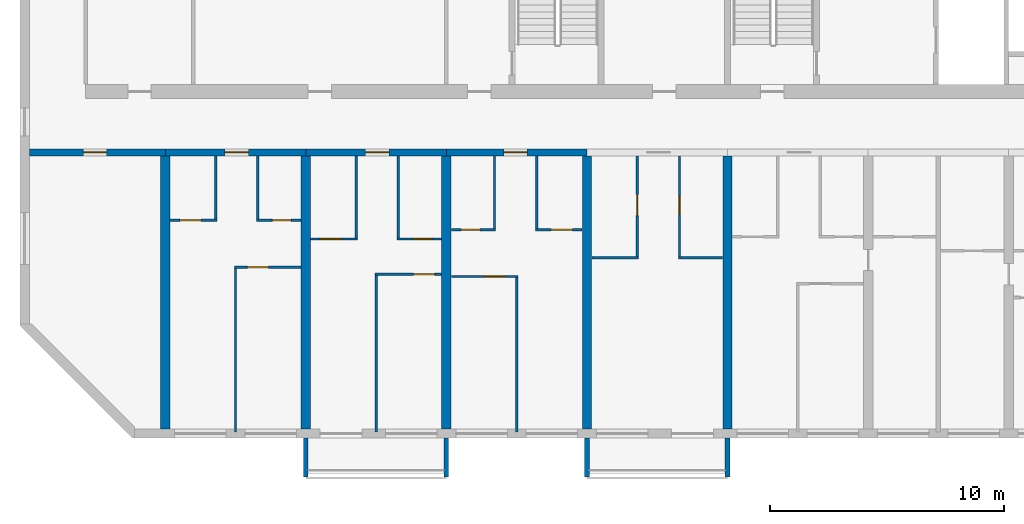
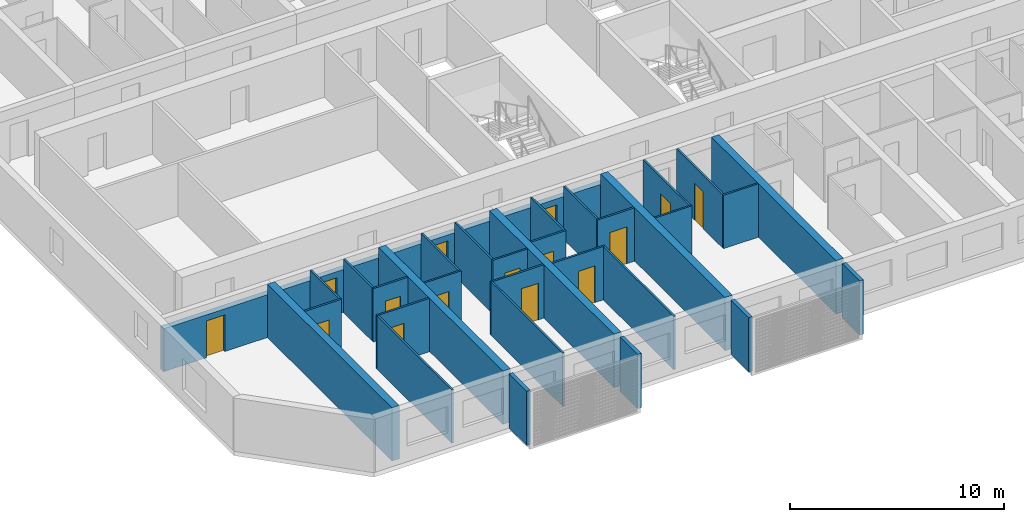
# One storey, part 2 of 40: 35 walls, 15 doors, 15 openings.
"""IFC4 building model written with IfcOpenShell, lengths in metres."""

from ifc_helpers import new_model, si_unit, direction, frame, frame_2d, origin, place, context, subcontext, project, spatial, polyline, rectangle, outline, extrude, source, transform, mapped, material, layer, layer_set, type_object, element, fill, save


model = new_model("IFC4")

# Units and contexts
model_context = context("Model", 3, precision=1e-05, world=origin(), true_north=direction((0.0, 1.0)))
body_context = subcontext(model_context, "Body", "Model", "MODEL_VIEW")
ifc_project = project(units=[si_unit("LENGTHUNIT", "METRE"), si_unit("AREAUNIT", "SQUARE_METRE"), si_unit("VOLUMEUNIT", "CUBIC_METRE"), si_unit("PLANEANGLEUNIT", "RADIAN"), si_unit("MASSUNIT", "GRAM", prefix="KILO")], contexts=[model_context])

# Site, building, storey
site_placement = place(None, origin())
site = spatial("IfcSite", under=ifc_project, at=site_placement, CompositionType="ELEMENT")
building_placement = place(site_placement, origin())
building = spatial("IfcBuilding", under=site, at=building_placement, Name="Poui Terraces", CompositionType="ELEMENT")
storey_placement = place(building_placement, frame((0.0, 0.0, 39.89990234375)))
storey = spatial("IfcBuildingStorey", under=building, at=storey_placement, Name="L10", CompositionType="ELEMENT", Elevation=39.89990234375)

# Wall, opening, door
ifc_material_1 = material(Name="Concrete 80 MPa", Category="concrete")
ifc_layer_1 = layer(ifc_material_1, 0.300048828125)
ifc_layer_set_1 = layer_set([ifc_layer_1], Name="Concrete 80 MPa")
wall_type_1 = type_object("IfcWallType", Name="CORRIDOR WALL 300 80MPa", PredefinedType="SHEAR", material=ifc_layer_set_1)
wall_1_placement = place(storey_placement, frame((0.199951171875, 12.0, 0.0), z_axis=(0.0, 0.0, 1.0), x_axis=(1.0, 0.0, 0.0)))
wall_1 = element("IfcWall", 1, at=wall_1_placement, inside=storey, type_object=wall_type_1, Name="CORRIDOR WALL LINE B BAY 1", PredefinedType="SHEAR", context=body_context, shape_type="SweptSolid", body=[
    extrude(rectangle(XDim=5.800048828125, YDim=0.300048828125, at=frame_2d((2.89990234375, 0.0))), origin(), (0.0, 0.0, 1.0), 2.4501953125),
])
opening_1_placement = place(wall_1_placement, frame((2.300048828125, 0.0, 0.0)))
opening_1 = element("IfcOpeningElement", 2, at=opening_1_placement, cuts=wall_1, Name="Opening D100", PredefinedType="OPENING", context=body_context, shape_type="SweptSolid", body=[
    extrude(rectangle(XDim=1.0, YDim=2.10009765625, at=frame_2d((0.5, 1.050048828125))), frame((0.0, 0.16015625, 0.0), z_axis=(0.0, -1.0, 0.0), x_axis=(1.0, 0.0, 0.0)), (0.0, 0.0, 1.0), 0.320068359375),
])
ifc_material_2 = material(Name="Solid core timber door", Category="wood")
door_type_1 = type_object("IfcDoorType", Name="ACCESSIBLE INTERNAL DOOR 1000 X 2100", OperationType="NOTDEFINED", PredefinedType="DOOR", material=ifc_material_2)
door_1_placement = place(opening_1_placement, frame((1.0, 0.0, 0.0), z_axis=(0.0, 0.0, 1.0), x_axis=(-1.0, 0.0, 0.0)))
door_1 = element("IfcDoor", 3, at=door_1_placement, inside=storey, type_object=door_type_1, Name="ACCESSIBLE INTERNAL DOOR 090", OperationType="SINGLE_SWING_RIGHT", OverallHeight=2.10009765625, OverallWidth=1.0, PredefinedType="DOOR", context=body_context, shape_type="SweptSolid", body=[
    extrude(rectangle(XDim=1.0, YDim=2.10009765625, at=frame_2d((0.5, 1.050048828125))), frame((0.0, 0.02490234375, 0.0), z_axis=(0.0, -1.0, 0.0), x_axis=(1.0, 0.0, 0.0)), (0.0, 0.0, 1.0), 0.050048828125),
])
fill(opening_1, door_1)

wall_2_placement = place(storey_placement, frame((6.0, 12.0, 0.0), z_axis=(0.0, 0.0, 1.0), x_axis=(1.0, 0.0, 0.0)))
wall_2 = element("IfcWall", 4, at=wall_2_placement, inside=storey, type_object=wall_type_1, Name="CORRIDOR WALL LINE B BAY 2", PredefinedType="SHEAR", context=body_context, shape_type="SweptSolid", body=[
    extrude(rectangle(XDim=6.0, YDim=0.300048828125, at=frame_2d((3.0, 0.0))), origin(), (0.0, 0.0, 1.0), 2.4501953125),
])
opening_2_placement = place(wall_2_placement, frame((2.550048828125, 0.0, 0.0)))
opening_2 = element("IfcOpeningElement", 5, at=opening_2_placement, cuts=wall_2, Name="Opening FD30S", PredefinedType="OPENING", context=body_context, shape_type="SweptSolid", body=[
    extrude(rectangle(XDim=1.0, YDim=2.10009765625, at=frame_2d((0.5, 1.050048828125))), frame((0.0, 0.16015625, 0.0), z_axis=(0.0, -1.0, 0.0), x_axis=(1.0, 0.0, 0.0)), (0.0, 0.0, 1.0), 0.320068359375),
])
ifc_material_3 = material(Name="Steel fire door", Category="steel")
door_type_2 = type_object("IfcDoorType", Name="FLAT ENTRANCE DOOR 1000 X 2100", OperationType="NOTDEFINED", PredefinedType="DOOR", material=ifc_material_3)
door_2_placement = place(opening_2_placement, frame((1.0, 0.0, 0.0), z_axis=(0.0, 0.0, 1.0), x_axis=(-1.0, 0.0, 0.0)))
door_2 = element("IfcDoor", 6, at=door_2_placement, inside=storey, type_object=door_type_2, Name="FLAT ENTRANCE DOOR 092", OperationType="SINGLE_SWING_LEFT", OverallHeight=2.10009765625, OverallWidth=1.0, PredefinedType="DOOR", context=body_context, shape_type="SweptSolid", body=[
    extrude(rectangle(XDim=1.0, YDim=2.10009765625, at=frame_2d((0.5, 1.050048828125))), frame((0.0, 0.02490234375, 0.0), z_axis=(0.0, -1.0, 0.0), x_axis=(1.0, 0.0, 0.0)), (0.0, 0.0, 1.0), 0.050048828125),
])
fill(opening_2, door_2)

wall_3_placement = place(storey_placement, frame((12.0, 12.0, 0.0), z_axis=(0.0, 0.0, 1.0), x_axis=(1.0, 0.0, 0.0)))
wall_3 = element("IfcWall", 7, at=wall_3_placement, inside=storey, type_object=wall_type_1, Name="CORRIDOR WALL LINE B BAY 3", PredefinedType="SHEAR", context=body_context, shape_type="SweptSolid", body=[
    extrude(rectangle(XDim=6.0, YDim=0.300048828125, at=frame_2d((3.0, 0.0))), origin(), (0.0, 0.0, 1.0), 2.4501953125),
])
opening_3_placement = place(wall_3_placement, frame((2.550048828125, 0.0, 0.0)))
opening_3 = element("IfcOpeningElement", 8, at=opening_3_placement, cuts=wall_3, Name="Opening FD30S", PredefinedType="OPENING", context=body_context, shape_type="SweptSolid", body=[
    extrude(rectangle(XDim=1.0, YDim=2.10009765625, at=frame_2d((0.5, 1.050048828125))), frame((0.0, 0.16015625, 0.0), z_axis=(0.0, -1.0, 0.0), x_axis=(1.0, 0.0, 0.0)), (0.0, 0.0, 1.0), 0.320068359375),
])
door_3_placement = place(opening_3_placement, frame((1.0, 0.0, 0.0), z_axis=(0.0, 0.0, 1.0), x_axis=(-1.0, 0.0, 0.0)))
door_3 = element("IfcDoor", 9, at=door_3_placement, inside=storey, type_object=door_type_2, Name="FLAT ENTRANCE DOOR 096", OperationType="SINGLE_SWING_LEFT", OverallHeight=2.10009765625, OverallWidth=1.0, PredefinedType="DOOR", context=body_context, shape_type="SweptSolid", body=[
    extrude(rectangle(XDim=1.0, YDim=2.10009765625, at=frame_2d((0.5, 1.050048828125))), frame((0.0, 0.02490234375, 0.0), z_axis=(0.0, -1.0, 0.0), x_axis=(1.0, 0.0, 0.0)), (0.0, 0.0, 1.0), 0.050048828125),
])
fill(opening_3, door_3)

wall_4_placement = place(storey_placement, frame((18.0, 12.0, 0.0), z_axis=(0.0, 0.0, 1.0), x_axis=(1.0, 0.0, 0.0)))
wall_4 = element("IfcWall", 10, at=wall_4_placement, inside=storey, type_object=wall_type_1, Name="CORRIDOR WALL LINE B BAY 4", PredefinedType="SHEAR", context=body_context, shape_type="SweptSolid", body=[
    extrude(rectangle(XDim=6.0, YDim=0.300048828125, at=frame_2d((3.0, 0.0))), origin(), (0.0, 0.0, 1.0), 2.4501953125),
])
opening_4_placement = place(wall_4_placement, frame((2.449951171875, 0.0, 0.0)))
opening_4 = element("IfcOpeningElement", 11, at=opening_4_placement, cuts=wall_4, Name="Opening FD30S", PredefinedType="OPENING", context=body_context, shape_type="SweptSolid", body=[
    extrude(rectangle(XDim=1.0, YDim=2.10009765625, at=frame_2d((0.5, 1.050048828125))), frame((0.0, 0.16015625, 0.0), z_axis=(0.0, -1.0, 0.0), x_axis=(1.0, 0.0, 0.0)), (0.0, 0.0, 1.0), 0.320068359375),
])
door_4_placement = place(opening_4_placement, frame((1.0, 0.0, 0.0), z_axis=(0.0, 0.0, 1.0), x_axis=(-1.0, 0.0, 0.0)))
door_4 = element("IfcDoor", 12, at=door_4_placement, inside=storey, type_object=door_type_2, Name="FLAT ENTRANCE DOOR 101", OperationType="SINGLE_SWING_RIGHT", OverallHeight=2.10009765625, OverallWidth=1.0, PredefinedType="DOOR", context=body_context, shape_type="SweptSolid", body=[
    extrude(rectangle(XDim=1.0, YDim=2.10009765625, at=frame_2d((0.5, 1.050048828125))), frame((0.0, 0.02490234375, 0.0), z_axis=(0.0, -1.0, 0.0), x_axis=(1.0, 0.0, 0.0)), (0.0, 0.0, 1.0), 0.050048828125),
])
fill(opening_4, door_4)

# Walls
ifc_layer_2 = layer(ifc_material_1, 0.39990234375)
ifc_layer_set_2 = layer_set([ifc_layer_2], Name="Concrete 80 MPa")
wall_type_2 = type_object("IfcWallType", Name="CROSS WALL 400 80MPa", PredefinedType="SHEAR", material=ifc_layer_set_2)
for number, where, z_axis, x_axis, name in (
    (13, (6.0, 0.199951171875, 0.0), (0.0, 0.0, 1.0), (0.0, 1.0, 0.0), "CROSS WALL LINE 2 SOUTH"),
    (14, (12.0, 0.199951171875, 0.0), (0.0, 0.0, 1.0), (0.0, 1.0, 0.0), "CROSS WALL LINE 3 SOUTH"),
    (15, (18.0, 0.199951171875, 0.0), (0.0, 0.0, 1.0), (0.0, 1.0, 0.0), "CROSS WALL LINE 4 SOUTH"),
    (16, (24.0, 0.199951171875, 0.0), (0.0, 0.0, 1.0), (0.0, 1.0, 0.0), "CROSS WALL LINE 5 SOUTH"),
    (17, (30.0, 0.199951171875, 0.0), (0.0, 0.0, 1.0), (0.0, 1.0, 0.0), "CROSS WALL LINE 6 SOUTH"),
):
    element("IfcWall", number, at=place(storey_placement, frame(where, z_axis=z_axis, x_axis=x_axis)), inside=storey, type_object=wall_type_2, Name=name, PredefinedType="SHEAR", context=body_context, shape_type="SweptSolid", body=[
        extrude(rectangle(XDim=11.650146484375, YDim=0.39990234375, at=frame_2d((5.8251953125, 0.0))), origin(), (0.0, 0.0, 1.0), 3.050048828125),
    ])

# Wall, opening, door
ifc_material_4 = material(Name="Plasterboard partition")
ifc_layer_3 = layer(ifc_material_4, 0.10009765625)
ifc_layer_set_3 = layer_set([ifc_layer_3], Name="Plasterboard partition")
wall_type_3 = type_object("IfcWallType", Name="FLAT PARTITION 100", PredefinedType="PARTITIONING", material=ifc_layer_set_3)
wall_5_placement = place(storey_placement, frame((18.2099609375, 6.699951171875, 0.0), z_axis=(0.0, 0.0, 1.0), x_axis=(1.0, 0.0, 0.0)))
wall_5 = element("IfcWall", 18, at=wall_5_placement, inside=storey, type_object=wall_type_3, Name="FLAT PARTITION 100", PredefinedType="PARTITIONING", context=body_context, shape_type="SweptSolid", body=[
    extrude(rectangle(XDim=2.840087890625, YDim=0.10009765625, at=frame_2d((1.419921875, 0.0))), origin(), (0.0, 0.0, 1.0), 3.050048828125),
])
opening_5_placement = place(wall_5_placement, frame((1.389892578125, 0.0, 0.0)))
opening_5 = element("IfcOpeningElement", 19, at=opening_5_placement, cuts=wall_5, Name="Opening D90", PredefinedType="OPENING", context=body_context, shape_type="SweptSolid", body=[
    extrude(rectangle(XDim=0.89990234375, YDim=2.10009765625, at=frame_2d((0.449951171875, 1.050048828125))), frame((0.0, 0.06005859375, 0.0), z_axis=(0.0, -1.0, 0.0), x_axis=(1.0, 0.0, 0.0)), (0.0, 0.0, 1.0), 0.1201171875),
])
door_type_3 = type_object("IfcDoorType", Name="INTERNAL DOOR 900 X 2100", OperationType="NOTDEFINED", PredefinedType="DOOR", material=ifc_material_2)
door_5_placement = place(opening_5_placement, origin())
door_5 = element("IfcDoor", 20, at=door_5_placement, inside=storey, type_object=door_type_3, Name="INTERNAL DOOR 100", OperationType="SINGLE_SWING_LEFT", OverallHeight=2.10009765625, OverallWidth=0.89990234375, PredefinedType="DOOR", context=body_context, shape_type="SweptSolid", body=[
    extrude(rectangle(XDim=0.89990234375, YDim=2.10009765625, at=frame_2d((0.449951171875, 1.050048828125))), frame((0.0, 0.02490234375, 0.0), z_axis=(0.0, -1.0, 0.0), x_axis=(1.0, 0.0, 0.0)), (0.0, 0.0, 1.0), 0.050048828125),
])
fill(opening_5, door_5)

wall_6_placement = place(storey_placement, frame((14.949951171875, 6.800048828125, 0.0), z_axis=(0.0, 0.0, 1.0), x_axis=(1.0, 0.0, 0.0)))
wall_6 = element("IfcWall", 21, at=wall_6_placement, inside=storey, type_object=wall_type_3, Name="FLAT PARTITION 100", PredefinedType="PARTITIONING", context=body_context, shape_type="SweptSolid", body=[
    extrude(rectangle(XDim=2.840087890625, YDim=0.10009765625, at=frame_2d((1.419921875, 0.0))), origin(), (0.0, 0.0, 1.0), 3.050048828125),
])
opening_6_placement = place(wall_6_placement, frame((1.64990234375, 0.0, 0.0)))
opening_6 = element("IfcOpeningElement", 22, at=opening_6_placement, cuts=wall_6, Name="Opening D90", PredefinedType="OPENING", context=body_context, shape_type="SweptSolid", body=[
    extrude(rectangle(XDim=0.89990234375, YDim=2.10009765625, at=frame_2d((0.449951171875, 1.050048828125))), frame((0.0, 0.06005859375, 0.0), z_axis=(0.0, -1.0, 0.0), x_axis=(1.0, 0.0, 0.0)), (0.0, 0.0, 1.0), 0.1201171875),
])
door_6_placement = place(opening_6_placement, origin())
door_6 = element("IfcDoor", 23, at=door_6_placement, inside=storey, type_object=door_type_3, Name="INTERNAL DOOR 098", OperationType="SINGLE_SWING_LEFT", OverallHeight=2.10009765625, OverallWidth=0.89990234375, PredefinedType="DOOR", context=body_context, shape_type="SweptSolid", body=[
    extrude(rectangle(XDim=0.89990234375, YDim=2.10009765625, at=frame_2d((0.449951171875, 1.050048828125))), frame((0.0, 0.02490234375, 0.0), z_axis=(0.0, -1.0, 0.0), x_axis=(1.0, 0.0, 0.0)), (0.0, 0.0, 1.0), 0.050048828125),
])
fill(opening_6, door_6)

wall_7_placement = place(storey_placement, frame((8.949951171875, 7.10009765625, 0.0), z_axis=(0.0, 0.0, 1.0), x_axis=(1.0, 0.0, 0.0)))
wall_7 = element("IfcWall", 24, at=wall_7_placement, inside=storey, type_object=wall_type_3, Name="FLAT PARTITION 100", PredefinedType="PARTITIONING", context=body_context, shape_type="SweptSolid", body=[
    extrude(rectangle(XDim=2.840087890625, YDim=0.10009765625, at=frame_2d((1.419921875, 0.0))), origin(), (0.0, 0.0, 1.0), 3.050048828125),
])
opening_7_placement = place(wall_7_placement, frame((0.550048828125, 0.0, 0.0)))
opening_7 = element("IfcOpeningElement", 25, at=opening_7_placement, cuts=wall_7, Name="Opening D90", PredefinedType="OPENING", context=body_context, shape_type="SweptSolid", body=[
    extrude(rectangle(XDim=0.89990234375, YDim=2.10009765625, at=frame_2d((0.449951171875, 1.050048828125))), frame((0.0, 0.06005859375, 0.0), z_axis=(0.0, -1.0, 0.0), x_axis=(1.0, 0.0, 0.0)), (0.0, 0.0, 1.0), 0.1201171875),
])
door_7_placement = place(opening_7_placement, origin())
door_7 = element("IfcDoor", 26, at=door_7_placement, inside=storey, type_object=door_type_3, Name="INTERNAL DOOR 093", OperationType="SINGLE_SWING_RIGHT", OverallHeight=2.10009765625, OverallWidth=0.89990234375, PredefinedType="DOOR", context=body_context, shape_type="SweptSolid", body=[
    extrude(rectangle(XDim=0.89990234375, YDim=2.10009765625, at=frame_2d((0.449951171875, 1.050048828125))), frame((0.0, 0.02490234375, 0.0), z_axis=(0.0, -1.0, 0.0), x_axis=(1.0, 0.0, 0.0)), (0.0, 0.0, 1.0), 0.050048828125),
])
fill(opening_7, door_7)

# Walls
wall_8_placement = place(storey_placement, frame((24.2099609375, 7.5, 0.0), z_axis=(0.0, 0.0, 1.0), x_axis=(1.0, 0.0, 0.0)))
element("IfcWall", 27, at=wall_8_placement, inside=storey, type_object=wall_type_3, Name="FLAT PARTITION 100", PredefinedType="PARTITIONING", context=body_context, shape_type="SweptSolid", body=[
    extrude(rectangle(XDim=1.989990234375, YDim=0.10009765625, at=frame_2d((0.9951171875, 0.0))), origin(), (0.0, 0.0, 1.0), 3.050048828125),
])
wall_9_placement = place(storey_placement, frame((27.89990234375, 7.5, 0.0), z_axis=(0.0, 0.0, 1.0), x_axis=(1.0, 0.0, 0.0)))
element("IfcWall", 28, at=wall_9_placement, inside=storey, type_object=wall_type_3, Name="FLAT PARTITION 100", PredefinedType="PARTITIONING", context=body_context, shape_type="SweptSolid", body=[
    extrude(rectangle(XDim=1.89013671875, YDim=0.10009765625, at=frame_2d((0.945068359375, 0.0))), origin(), (0.0, 0.0, 1.0), 3.050048828125),
])

# Wall, opening, door
wall_10_placement = place(storey_placement, frame((12.2099609375, 8.300048828125, 0.0), z_axis=(0.0, 0.0, 1.0), x_axis=(1.0, 0.0, 0.0)))
wall_10 = element("IfcWall", 29, at=wall_10_placement, inside=storey, type_object=wall_type_3, Name="FLAT PARTITION 100", PredefinedType="PARTITIONING", context=body_context, shape_type="SweptSolid", body=[
    extrude(rectangle(XDim=1.989990234375, YDim=0.10009765625, at=frame_2d((0.9951171875, 0.0))), origin(), (0.0, 0.0, 1.0), 3.050048828125),
])
opening_8_placement = place(wall_10_placement, frame((0.4150390625, 0.0, 0.0)))
opening_8 = element("IfcOpeningElement", 30, at=opening_8_placement, cuts=wall_10, Name="Opening D90", PredefinedType="OPENING", context=body_context, shape_type="SweptSolid", body=[
    extrude(rectangle(XDim=0.89990234375, YDim=2.10009765625, at=frame_2d((0.449951171875, 1.050048828125))), frame((0.0, 0.06005859375, 0.0), z_axis=(0.0, -1.0, 0.0), x_axis=(1.0, 0.0, 0.0)), (0.0, 0.0, 1.0), 0.1201171875),
])
door_8_placement = place(opening_8_placement, origin())
door_8 = element("IfcDoor", 31, at=door_8_placement, inside=storey, type_object=door_type_3, Name="INTERNAL DOOR 095", OperationType="SINGLE_SWING_LEFT", OverallHeight=2.10009765625, OverallWidth=0.89990234375, PredefinedType="DOOR", context=body_context, shape_type="SweptSolid", body=[
    extrude(rectangle(XDim=0.89990234375, YDim=2.10009765625, at=frame_2d((0.449951171875, 1.050048828125))), frame((0.0, 0.02490234375, 0.0), z_axis=(0.0, -1.0, 0.0), x_axis=(1.0, 0.0, 0.0)), (0.0, 0.0, 1.0), 0.050048828125),
])
fill(opening_8, door_8)

wall_11_placement = place(storey_placement, frame((15.89990234375, 8.300048828125, 0.0), z_axis=(0.0, 0.0, 1.0), x_axis=(1.0, 0.0, 0.0)))
wall_11 = element("IfcWall", 32, at=wall_11_placement, inside=storey, type_object=wall_type_3, Name="FLAT PARTITION 100", PredefinedType="PARTITIONING", context=body_context, shape_type="SweptSolid", body=[
    extrude(rectangle(XDim=1.89013671875, YDim=0.10009765625, at=frame_2d((0.945068359375, 0.0))), origin(), (0.0, 0.0, 1.0), 3.050048828125),
])
opening_9_placement = place(wall_11_placement, frame((0.675048828125, 0.0, 0.0)))
opening_9 = element("IfcOpeningElement", 33, at=opening_9_placement, cuts=wall_11, Name="Opening D80", PredefinedType="OPENING", context=body_context, shape_type="SweptSolid", body=[
    extrude(rectangle(XDim=0.800048828125, YDim=2.10009765625, at=frame_2d((0.39990234375, 1.050048828125))), frame((0.0, 0.06005859375, 0.0), z_axis=(0.0, -1.0, 0.0), x_axis=(1.0, 0.0, 0.0)), (0.0, 0.0, 1.0), 0.1201171875),
])
door_type_4 = type_object("IfcDoorType", Name="BATHROOM, LAUNDRY AND STORE DOOR 800 X 2100", OperationType="NOTDEFINED", PredefinedType="DOOR", material=ifc_material_2)
door_9_placement = place(opening_9_placement, origin())
door_9 = element("IfcDoor", 34, at=door_9_placement, inside=storey, type_object=door_type_4, Name="BATHROOM, LAUNDRY AND STORE DOOR 097", OperationType="SINGLE_SWING_RIGHT", OverallHeight=2.10009765625, OverallWidth=0.800048828125, PredefinedType="DOOR", context=body_context, shape_type="SweptSolid", body=[
    extrude(rectangle(XDim=0.800048828125, YDim=2.10009765625, at=frame_2d((0.39990234375, 1.050048828125))), frame((0.0, 0.02490234375, 0.0), z_axis=(0.0, -1.0, 0.0), x_axis=(1.0, 0.0, 0.0)), (0.0, 0.0, 1.0), 0.050048828125),
])
fill(opening_9, door_9)

wall_12_placement = place(storey_placement, frame((18.2099609375, 8.699951171875, 0.0), z_axis=(0.0, 0.0, 1.0), x_axis=(1.0, 0.0, 0.0)))
wall_12 = element("IfcWall", 35, at=wall_12_placement, inside=storey, type_object=wall_type_3, Name="FLAT PARTITION 100", PredefinedType="PARTITIONING", context=body_context, shape_type="SweptSolid", body=[
    extrude(rectangle(XDim=1.89013671875, YDim=0.10009765625, at=frame_2d((0.945068359375, 0.0))), origin(), (0.0, 0.0, 1.0), 3.050048828125),
])
opening_10_placement = place(wall_12_placement, frame((0.4150390625, 0.0, 0.0)))
opening_10 = element("IfcOpeningElement", 36, at=opening_10_placement, cuts=wall_12, Name="Opening D80", PredefinedType="OPENING", context=body_context, shape_type="SweptSolid", body=[
    extrude(rectangle(XDim=0.800048828125, YDim=2.10009765625, at=frame_2d((0.39990234375, 1.050048828125))), frame((0.0, 0.06005859375, 0.0), z_axis=(0.0, -1.0, 0.0), x_axis=(1.0, 0.0, 0.0)), (0.0, 0.0, 1.0), 0.1201171875),
])
door_10_placement = place(opening_10_placement, origin())
door_10 = element("IfcDoor", 37, at=door_10_placement, inside=storey, type_object=door_type_4, Name="BATHROOM, LAUNDRY AND STORE DOOR 099", OperationType="SINGLE_SWING_RIGHT", OverallHeight=2.10009765625, OverallWidth=0.800048828125, PredefinedType="DOOR", context=body_context, shape_type="SweptSolid", body=[
    extrude(rectangle(XDim=0.800048828125, YDim=2.10009765625, at=frame_2d((0.39990234375, 1.050048828125))), frame((0.0, 0.02490234375, 0.0), z_axis=(0.0, -1.0, 0.0), x_axis=(1.0, 0.0, 0.0)), (0.0, 0.0, 1.0), 0.050048828125),
])
fill(opening_10, door_10)

wall_13_placement = place(storey_placement, frame((21.800048828125, 8.699951171875, 0.0), z_axis=(0.0, 0.0, 1.0), x_axis=(1.0, 0.0, 0.0)))
wall_13 = element("IfcWall", 38, at=wall_13_placement, inside=storey, type_object=wall_type_3, Name="FLAT PARTITION 100", PredefinedType="PARTITIONING", context=body_context, shape_type="SweptSolid", body=[
    extrude(rectangle(XDim=1.989990234375, YDim=0.10009765625, at=frame_2d((0.9951171875, 0.0))), origin(), (0.0, 0.0, 1.0), 3.050048828125),
])
opening_11_placement = place(wall_13_placement, frame((0.675048828125, 0.0, 0.0)))
opening_11 = element("IfcOpeningElement", 39, at=opening_11_placement, cuts=wall_13, Name="Opening D90", PredefinedType="OPENING", context=body_context, shape_type="SweptSolid", body=[
    extrude(rectangle(XDim=0.89990234375, YDim=2.10009765625, at=frame_2d((0.449951171875, 1.050048828125))), frame((0.0, 0.06005859375, 0.0), z_axis=(0.0, -1.0, 0.0), x_axis=(1.0, 0.0, 0.0)), (0.0, 0.0, 1.0), 0.1201171875),
])
door_11_placement = place(opening_11_placement, origin())
door_11 = element("IfcDoor", 40, at=door_11_placement, inside=storey, type_object=door_type_3, Name="INTERNAL DOOR 102", OperationType="SINGLE_SWING_LEFT", OverallHeight=2.10009765625, OverallWidth=0.89990234375, PredefinedType="DOOR", context=body_context, shape_type="SweptSolid", body=[
    extrude(rectangle(XDim=0.89990234375, YDim=2.10009765625, at=frame_2d((0.449951171875, 1.050048828125))), frame((0.0, 0.02490234375, 0.0), z_axis=(0.0, -1.0, 0.0), x_axis=(1.0, 0.0, 0.0)), (0.0, 0.0, 1.0), 0.050048828125),
])
fill(opening_11, door_11)

wall_14_placement = place(storey_placement, frame((6.2099609375, 9.10009765625, 0.0), z_axis=(0.0, 0.0, 1.0), x_axis=(1.0, 0.0, 0.0)))
wall_14 = element("IfcWall", 41, at=wall_14_placement, inside=storey, type_object=wall_type_3, Name="FLAT PARTITION 100", PredefinedType="PARTITIONING", context=body_context, shape_type="SweptSolid", body=[
    extrude(rectangle(XDim=1.989990234375, YDim=0.10009765625, at=frame_2d((0.9951171875, 0.0))), origin(), (0.0, 0.0, 1.0), 3.050048828125),
])
opening_12_placement = place(wall_14_placement, frame((0.4150390625, 0.0, 0.0)))
opening_12 = element("IfcOpeningElement", 42, at=opening_12_placement, cuts=wall_14, Name="Opening D90", PredefinedType="OPENING", context=body_context, shape_type="SweptSolid", body=[
    extrude(rectangle(XDim=0.89990234375, YDim=2.10009765625, at=frame_2d((0.449951171875, 1.050048828125))), frame((0.0, 0.06005859375, 0.0), z_axis=(0.0, -1.0, 0.0), x_axis=(1.0, 0.0, 0.0)), (0.0, 0.0, 1.0), 0.1201171875),
])
door_12_placement = place(opening_12_placement, origin())
door_12 = element("IfcDoor", 43, at=door_12_placement, inside=storey, type_object=door_type_3, Name="INTERNAL DOOR 091", OperationType="SINGLE_SWING_RIGHT", OverallHeight=2.10009765625, OverallWidth=0.89990234375, PredefinedType="DOOR", context=body_context, shape_type="SweptSolid", body=[
    extrude(rectangle(XDim=0.89990234375, YDim=2.10009765625, at=frame_2d((0.449951171875, 1.050048828125))), frame((0.0, 0.02490234375, 0.0), z_axis=(0.0, -1.0, 0.0), x_axis=(1.0, 0.0, 0.0)), (0.0, 0.0, 1.0), 0.050048828125),
])
fill(opening_12, door_12)

wall_15_placement = place(storey_placement, frame((9.89990234375, 9.10009765625, 0.0), z_axis=(0.0, 0.0, 1.0), x_axis=(1.0, 0.0, 0.0)))
wall_15 = element("IfcWall", 44, at=wall_15_placement, inside=storey, type_object=wall_type_3, Name="FLAT PARTITION 100", PredefinedType="PARTITIONING", context=body_context, shape_type="SweptSolid", body=[
    extrude(rectangle(XDim=1.89013671875, YDim=0.10009765625, at=frame_2d((0.945068359375, 0.0))), origin(), (0.0, 0.0, 1.0), 3.050048828125),
])
opening_13_placement = place(wall_15_placement, frame((0.675048828125, 0.0, 0.0)))
opening_13 = element("IfcOpeningElement", 45, at=opening_13_placement, cuts=wall_15, Name="Opening D80", PredefinedType="OPENING", context=body_context, shape_type="SweptSolid", body=[
    extrude(rectangle(XDim=0.800048828125, YDim=2.10009765625, at=frame_2d((0.39990234375, 1.050048828125))), frame((0.0, 0.06005859375, 0.0), z_axis=(0.0, -1.0, 0.0), x_axis=(1.0, 0.0, 0.0)), (0.0, 0.0, 1.0), 0.1201171875),
])
door_13_placement = place(opening_13_placement, origin())
door_13 = element("IfcDoor", 46, at=door_13_placement, inside=storey, type_object=door_type_4, Name="BATHROOM, LAUNDRY AND STORE DOOR 094", OperationType="SINGLE_SWING_LEFT", OverallHeight=2.10009765625, OverallWidth=0.800048828125, PredefinedType="DOOR", context=body_context, shape_type="SweptSolid", body=[
    extrude(rectangle(XDim=0.800048828125, YDim=2.10009765625, at=frame_2d((0.39990234375, 1.050048828125))), frame((0.0, 0.02490234375, 0.0), z_axis=(0.0, -1.0, 0.0), x_axis=(1.0, 0.0, 0.0)), (0.0, 0.0, 1.0), 0.050048828125),
])
fill(opening_13, door_13)

# Walls
wall_16_placement = place(storey_placement, frame((8.14990234375, 9.14990234375, 0.0), z_axis=(0.0, 0.0, 1.0), x_axis=(0.0, 1.0, 0.0)))
element("IfcWall", 47, at=wall_16_placement, inside=storey, type_object=wall_type_3, Name="FLAT PARTITION 100", PredefinedType="PARTITIONING", context=body_context, shape_type="SweptSolid", body=[
    extrude(rectangle(XDim=2.690185546875, YDim=0.10009765625, at=frame_2d((1.34521484375, 0.0))), origin(), (0.0, 0.0, 1.0), 3.050048828125),
])
wall_17_placement = place(storey_placement, frame((9.0, 0.06005859375, 0.0), z_axis=(0.0, 0.0, 1.0), x_axis=(0.0, 1.0, 0.0)))
element("IfcWall", 48, at=wall_17_placement, inside=storey, type_object=wall_type_3, Name="FLAT PARTITION 100", PredefinedType="PARTITIONING", context=body_context, shape_type="SweptSolid", body=[
    extrude(rectangle(XDim=6.989990234375, YDim=0.10009765625, at=frame_2d((3.4951171875, 0.0))), origin(), (0.0, 0.0, 1.0), 3.050048828125),
])
wall_18_placement = place(storey_placement, frame((9.949951171875, 9.14990234375, 0.0), z_axis=(0.0, 0.0, 1.0), x_axis=(0.0, 1.0, 0.0)))
element("IfcWall", 49, at=wall_18_placement, inside=storey, type_object=wall_type_3, Name="FLAT PARTITION 100", PredefinedType="PARTITIONING", context=body_context, shape_type="SweptSolid", body=[
    extrude(rectangle(XDim=2.690185546875, YDim=0.10009765625, at=frame_2d((1.34521484375, 0.0))), origin(), (0.0, 0.0, 1.0), 3.050048828125),
])
wall_19_placement = place(storey_placement, frame((14.14990234375, 8.35009765625, 0.0), z_axis=(0.0, 0.0, 1.0), x_axis=(0.0, 1.0, 0.0)))
element("IfcWall", 50, at=wall_19_placement, inside=storey, type_object=wall_type_3, Name="FLAT PARTITION 100", PredefinedType="PARTITIONING", context=body_context, shape_type="SweptSolid", body=[
    extrude(rectangle(XDim=3.489990234375, YDim=0.10009765625, at=frame_2d((1.7451171875, 0.0))), origin(), (0.0, 0.0, 1.0), 3.050048828125),
])
wall_20_placement = place(storey_placement, frame((15.0, 0.06005859375, 0.0), z_axis=(0.0, 0.0, 1.0), x_axis=(0.0, 1.0, 0.0)))
element("IfcWall", 51, at=wall_20_placement, inside=storey, type_object=wall_type_3, Name="FLAT PARTITION 100", PredefinedType="PARTITIONING", context=body_context, shape_type="SweptSolid", body=[
    extrude(rectangle(XDim=6.68994140625, YDim=0.10009765625, at=frame_2d((3.344970703125, 0.0))), origin(), (0.0, 0.0, 1.0), 3.050048828125),
])
wall_21_placement = place(storey_placement, frame((15.949951171875, 8.35009765625, 0.0), z_axis=(0.0, 0.0, 1.0), x_axis=(0.0, 1.0, 0.0)))
element("IfcWall", 52, at=wall_21_placement, inside=storey, type_object=wall_type_3, Name="FLAT PARTITION 100", PredefinedType="PARTITIONING", context=body_context, shape_type="SweptSolid", body=[
    extrude(rectangle(XDim=3.489990234375, YDim=0.10009765625, at=frame_2d((1.7451171875, 0.0))), origin(), (0.0, 0.0, 1.0), 3.050048828125),
])
wall_22_placement = place(storey_placement, frame((20.050048828125, 8.75, 0.0), z_axis=(0.0, 0.0, 1.0), x_axis=(0.0, 1.0, 0.0)))
element("IfcWall", 53, at=wall_22_placement, inside=storey, type_object=wall_type_3, Name="FLAT PARTITION 100", PredefinedType="PARTITIONING", context=body_context, shape_type="SweptSolid", body=[
    extrude(rectangle(XDim=3.090087890625, YDim=0.10009765625, at=frame_2d((1.544921875, 0.0))), origin(), (0.0, 0.0, 1.0), 3.050048828125),
])
wall_23_placement = place(storey_placement, frame((21.0, 0.06005859375, 0.0), z_axis=(0.0, 0.0, 1.0), x_axis=(0.0, 1.0, 0.0)))
element("IfcWall", 54, at=wall_23_placement, inside=storey, type_object=wall_type_3, Name="FLAT PARTITION 100", PredefinedType="PARTITIONING", context=body_context, shape_type="SweptSolid", body=[
    extrude(rectangle(XDim=6.58984375, YDim=0.10009765625, at=frame_2d((3.294921875, 0.0))), origin(), (0.0, 0.0, 1.0), 3.050048828125),
])
wall_24_placement = place(storey_placement, frame((21.85009765625, 8.75, 0.0), z_axis=(0.0, 0.0, 1.0), x_axis=(0.0, 1.0, 0.0)))
element("IfcWall", 55, at=wall_24_placement, inside=storey, type_object=wall_type_3, Name="FLAT PARTITION 100", PredefinedType="PARTITIONING", context=body_context, shape_type="SweptSolid", body=[
    extrude(rectangle(XDim=3.090087890625, YDim=0.10009765625, at=frame_2d((1.544921875, 0.0))), origin(), (0.0, 0.0, 1.0), 3.050048828125),
])

# Wall, opening, door
wall_25_placement = place(storey_placement, frame((26.14990234375, 7.550048828125, 0.0), z_axis=(0.0, 0.0, 1.0), x_axis=(0.0, 1.0, 0.0)))
wall_25 = element("IfcWall", 56, at=wall_25_placement, inside=storey, type_object=wall_type_3, Name="FLAT PARTITION 100", PredefinedType="PARTITIONING", context=body_context, shape_type="SweptSolid", body=[
    extrude(rectangle(XDim=4.2900390625, YDim=0.10009765625, at=frame_2d((2.14501953125, 0.0))), origin(), (0.0, 0.0, 1.0), 3.050048828125),
])
opening_14_placement = place(wall_25_placement, frame((1.75, 0.0, 0.0)))
opening_14 = element("IfcOpeningElement", 57, at=opening_14_placement, cuts=wall_25, Name="Opening D90", PredefinedType="OPENING", context=body_context, shape_type="SweptSolid", body=[
    extrude(rectangle(XDim=0.89990234375, YDim=2.10009765625, at=frame_2d((0.449951171875, 1.050048828125))), frame((0.0, 0.06005859375, 0.0), z_axis=(0.0, -1.0, 0.0), x_axis=(1.0, 0.0, 0.0)), (0.0, 0.0, 1.0), 0.1201171875),
])
door_14_placement = place(opening_14_placement, origin())
door_14 = element("IfcDoor", 58, at=door_14_placement, inside=storey, type_object=door_type_3, Name="INTERNAL DOOR 103", OperationType="SINGLE_SWING_RIGHT", OverallHeight=2.10009765625, OverallWidth=0.89990234375, PredefinedType="DOOR", context=body_context, shape_type="SweptSolid", body=[
    extrude(rectangle(XDim=0.89990234375, YDim=2.10009765625, at=frame_2d((0.449951171875, 1.050048828125))), frame((0.0, 0.02490234375, 0.0), z_axis=(0.0, -1.0, 0.0), x_axis=(1.0, 0.0, 0.0)), (0.0, 0.0, 1.0), 0.050048828125),
])
fill(opening_14, door_14)

wall_26_placement = place(storey_placement, frame((27.949951171875, 7.550048828125, 0.0), z_axis=(0.0, 0.0, 1.0), x_axis=(0.0, 1.0, 0.0)))
wall_26 = element("IfcWall", 59, at=wall_26_placement, inside=storey, type_object=wall_type_3, Name="FLAT PARTITION 100", PredefinedType="PARTITIONING", context=body_context, shape_type="SweptSolid", body=[
    extrude(rectangle(XDim=4.2900390625, YDim=0.10009765625, at=frame_2d((2.14501953125, 0.0))), origin(), (0.0, 0.0, 1.0), 3.050048828125),
])
opening_15_placement = place(wall_26_placement, frame((1.800048828125, 0.0, 0.0)))
opening_15 = element("IfcOpeningElement", 60, at=opening_15_placement, cuts=wall_26, Name="Opening D80", PredefinedType="OPENING", context=body_context, shape_type="SweptSolid", body=[
    extrude(rectangle(XDim=0.800048828125, YDim=2.10009765625, at=frame_2d((0.39990234375, 1.050048828125))), frame((0.0, 0.06005859375, 0.0), z_axis=(0.0, -1.0, 0.0), x_axis=(1.0, 0.0, 0.0)), (0.0, 0.0, 1.0), 0.1201171875),
])
door_15_placement = place(opening_15_placement, frame((0.800048828125, 0.0, 0.0), z_axis=(0.0, 0.0, 1.0), x_axis=(-1.0, 0.0, 0.0)))
door_15 = element("IfcDoor", 61, at=door_15_placement, inside=storey, type_object=door_type_4, Name="BATHROOM, LAUNDRY AND STORE DOOR 105", OperationType="SINGLE_SWING_RIGHT", OverallHeight=2.10009765625, OverallWidth=0.800048828125, PredefinedType="DOOR", context=body_context, shape_type="SweptSolid", body=[
    extrude(rectangle(XDim=0.800048828125, YDim=2.10009765625, at=frame_2d((0.39990234375, 1.050048828125))), frame((0.0, 0.02490234375, 0.0), z_axis=(0.0, -1.0, 0.0), x_axis=(1.0, 0.0, 0.0)), (0.0, 0.0, 1.0), 0.050048828125),
])
fill(opening_15, door_15)

# Walls
ifc_material_5 = material(Name="Precast concrete 40 MPa", Category="concrete")
ifc_layer_4 = layer(ifc_material_5, 0.199951171875)
ifc_layer_set_4 = layer_set([ifc_layer_4], Name="Precast concrete 40 MPa")
wall_type_4 = type_object("IfcWallType", Name="REAR FIN 200", PredefinedType="STANDARD", material=ifc_layer_set_4)
shared_shape = source(origin(), body_context, "Body", "SweptSolid", [
    extrude(outline(polyline([(0.0, 0.0), (0.2001953125, 0.0), (0.2001953125, 1.650146484375), (0.0, 1.650146484375), (0.0, 0.0)])), origin(), (0.0, 0.0, 1.0), 3.10009765625),
])
for number, where, name in (
    (62, (11.89990234375, -1.85009765625, 0.0), "REAR FIN"),
    (63, (17.89990234375, -1.85009765625, 0.0), "REAR FIN"),
    (64, (23.89990234375, -1.85009765625, 0.0), "REAR FIN"),
    (65, (29.89990234375, -1.85009765625, 0.0), "REAR FIN"),
):
    element("IfcWall", number, at=place(storey_placement, frame(where)), inside=storey, type_object=wall_type_4, Name=name, PredefinedType="STANDARD", context=body_context, shape_type="MappedRepresentation", body=[
        mapped(shared_shape, transform((0.0, 0.0, 0.0))),
    ])

save(model, "model.ifc")
